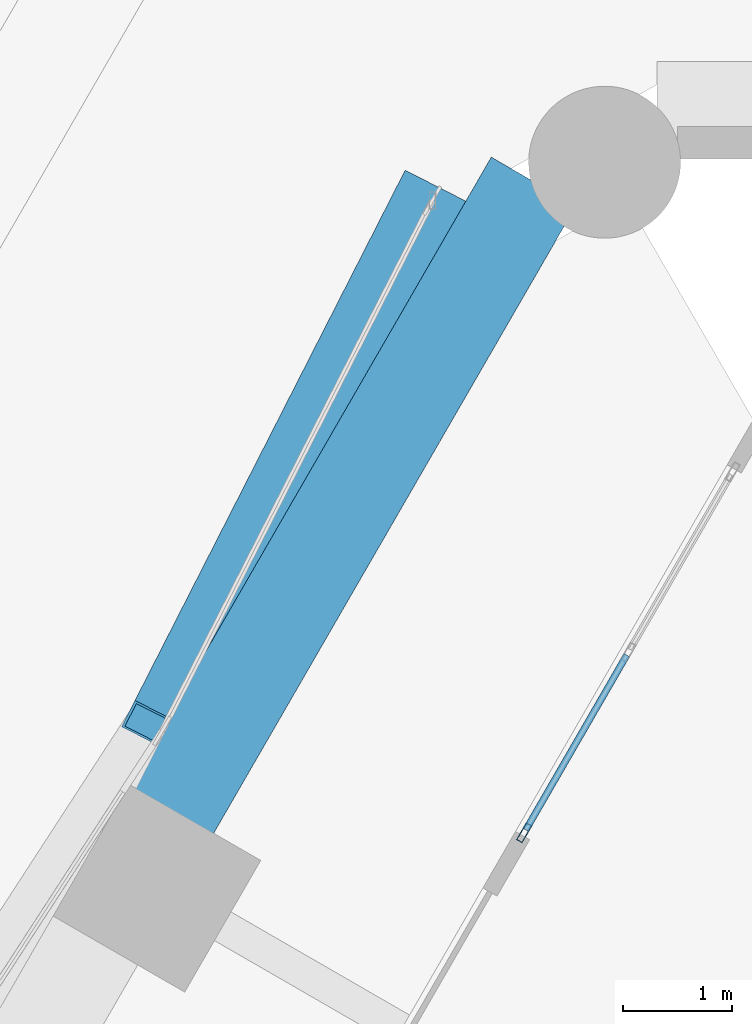
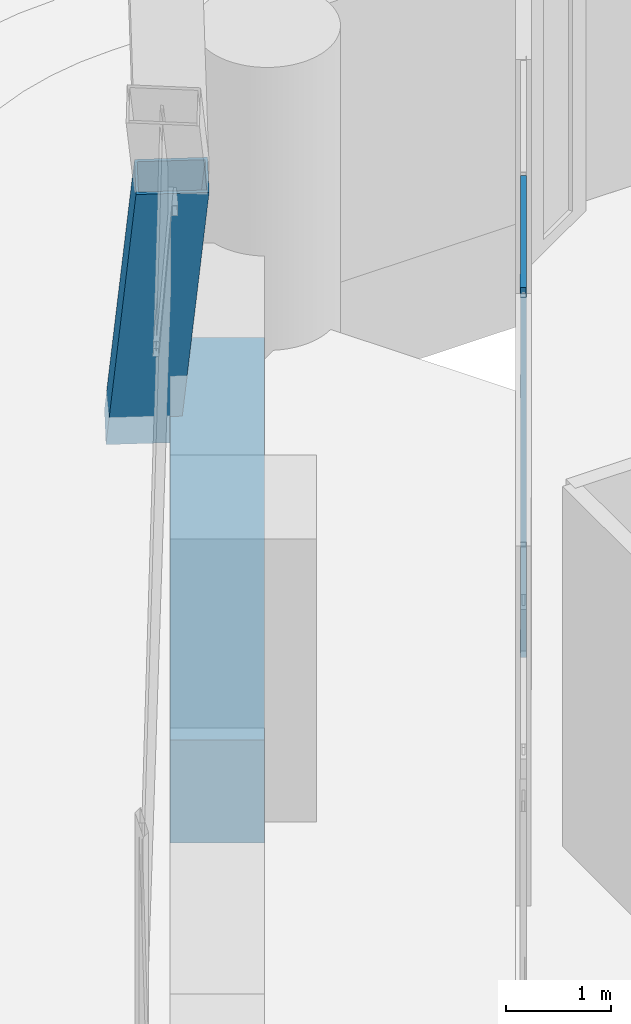
# One storey, part 39 of 71: 5 members, 1 beam, 1 element without a shape of its own.
"""IFC4 building model written with IfcOpenShell, lengths in metres."""

from ifc_helpers import new_model, si_unit, direction, frame, origin, origin_2d, place, context, subcontext, project, spatial, rectangle, hollow_rectangle, extrude, material, material_profile, profile_set, type_object, element, aggregate, save


model = new_model("IFC4")

# Units and contexts
model_context = context("Model", 3, precision=1e-05, world=origin(), true_north=direction((0.0, 1.0)))
body_context = subcontext(model_context, "Body", "Model", "MODEL_VIEW")
ifc_project = project(units=[si_unit("LENGTHUNIT", "METRE"), si_unit("AREAUNIT", "SQUARE_METRE"), si_unit("VOLUMEUNIT", "CUBIC_METRE"), si_unit("PLANEANGLEUNIT", "RADIAN"), si_unit("MASSUNIT", "GRAM", prefix="KILO")], contexts=[model_context])

# Site, building, storey
site_placement = place(None, origin())
site = spatial("IfcSite", under=ifc_project, at=site_placement, CompositionType="ELEMENT")
building_placement = place(site_placement, origin())
building = spatial("IfcBuilding", under=site, at=building_placement, Name="Ostrander Bayou Hotel Tower", CompositionType="ELEMENT")
storey_placement = place(building_placement, frame((0.0, 0.0, 10.0)))
storey = spatial("IfcBuildingStorey", under=building, at=storey_placement, Name="L02", CompositionType="ELEMENT", Elevation=10.0)

# Curtain wall, members
ifc_material_1 = material(Name="Aluminium and clear glass", Category="aluminium")
curtain_wall_type = type_object("IfcCurtainWallType", Name="CW-SKY amenity glass wall", PredefinedType="NOTDEFINED", material=ifc_material_1)
curtain_wall_placement = place(storey_placement, origin())
curtain_wall = element("IfcCurtainWall", 1, at=curtain_wall_placement, inside=storey, type_object=curtain_wall_type, Name="CW-SKY L02 NW 1", PredefinedType="NOTDEFINED")
ifc_material_2 = material(Name="Aluminium", Category="aluminium")
ifc_material_profile_1 = material_profile(ifc_material_2, hollow_rectangle(XDim=0.06005859375, YDim=0.179931640625, WallThickness=0.00390625, at=origin_2d()))
ifc_profile_set_1 = profile_set([ifc_material_profile_1], Name="Aluminium")
member_type_1 = type_object("IfcMemberType", Name="CW-SK mullion 60 x 180 mm", PredefinedType="MULLION", material=ifc_profile_set_1)
member_1_placement = place(storey_placement, frame((-12.79150390625, 14.694580078125, 0.0), z_axis=(0.0, 0.0, 1.0), x_axis=(0.866025463091, -0.499999897278, 0.0)))
member_1 = element("IfcMember", 2, at=member_1_placement, type_object=member_type_1, Name="CW-SKY mullion 3", PredefinedType="MULLION", context=body_context, shape_type="SweptSolid", body=[
    extrude(hollow_rectangle(XDim=0.06005859375, YDim=0.179931640625, WallThickness=0.00390625, at=origin_2d()), origin(), (0.0, 0.0, 1.0), 4.199951171875),
])
ifc_material_3 = material(Name="Aluminium", Category="aluminium")
ifc_material_profile_2 = material_profile(ifc_material_3, hollow_rectangle(XDim=0.06005859375, YDim=0.1201171875, WallThickness=0.00390625, at=origin_2d()))
ifc_profile_set_2 = profile_set([ifc_material_profile_2], Name="Aluminium")
member_type_2 = type_object("IfcMemberType", Name="CW-SK transom 60 x 120 mm", PredefinedType="USERDEFINED", material=ifc_profile_set_2)
member_2_placement = place(storey_placement, frame((-11.846435546875, 16.331298828125, 0.030029296875), z_axis=(-0.500063286585, -0.865988862174, 0.0), x_axis=(0.865988862174, -0.500063286585, 0.0)))
member_2 = element("IfcMember", 3, at=member_2_placement, type_object=member_type_2, Name="CW-SKY transom 2.1", ObjectType="TRANSOM", PredefinedType="USERDEFINED", context=body_context, shape_type="SweptSolid", body=[
    extrude(hollow_rectangle(XDim=0.06005859375, YDim=0.1201171875, WallThickness=0.00390625, at=origin_2d()), origin(), (0.0, 0.0, 1.0), 1.860107421875),
])
member_3_placement = place(storey_placement, frame((-11.846435546875, 16.331298828125, 3.0), z_axis=(-0.500063286585, -0.865988862174, 0.0), x_axis=(0.865988862174, -0.500063286585, 0.0)))
member_3 = element("IfcMember", 4, at=member_3_placement, type_object=member_type_2, Name="CW-SKY transom 2.2", ObjectType="TRANSOM", PredefinedType="USERDEFINED", context=body_context, shape_type="SweptSolid", body=[
    extrude(hollow_rectangle(XDim=0.06005859375, YDim=0.1201171875, WallThickness=0.00390625, at=origin_2d()), origin(), (0.0, 0.0, 1.0), 1.860107421875),
])
member_4_placement = place(storey_placement, frame((-11.846435546875, 16.331298828125, 4.169921875), z_axis=(-0.500063286585, -0.865988862174, 0.0), x_axis=(0.865988862174, -0.500063286585, 0.0)))
member_4 = element("IfcMember", 5, at=member_4_placement, type_object=member_type_2, Name="CW-SKY transom 2.3", ObjectType="TRANSOM", PredefinedType="USERDEFINED", context=body_context, shape_type="SweptSolid", body=[
    extrude(hollow_rectangle(XDim=0.06005859375, YDim=0.1201171875, WallThickness=0.00390625, at=origin_2d()), origin(), (0.0, 0.0, 1.0), 1.860107421875),
])
aggregate(curtain_wall, [member_1, member_2, member_3, member_4])

# Member
ifc_material_4 = material(Name="Steel ASTM A572 Gr 50", Category="steel")
ifc_material_profile_3 = material_profile(ifc_material_4, hollow_rectangle(XDim=0.699951171875, YDim=0.35009765625, WallThickness=0.02490234375, at=origin_2d()))
ifc_profile_set_3 = profile_set([ifc_material_profile_3], Name="Steel ASTM A572 Gr 50")
member_type_3 = type_object("IfcMemberType", Name="LT1 lattice member box 700 x 350 x 25 mm", PredefinedType="BRACE", material=ifc_profile_set_3)
member_5_placement = place(storey_placement, frame((-16.126953125, 15.63330078125, 6.14990234375), z_axis=(0.286219486036, 0.561770663617, -0.776203663553), x_axis=(-0.891017407703, 0.453969139007, 0.0)))
element("IfcMember", 6, at=member_5_placement, inside=storey, type_object=member_type_3, Name="LT1 L02 NW 1", PredefinedType="BRACE", context=body_context, shape_type="SweptSolid", body=[
    extrude(hollow_rectangle(XDim=0.699951171875, YDim=0.35009765625, WallThickness=0.02490234375, at=origin_2d()), origin(), (0.0, 0.0, 1.0), 8.6962890625),
])

# Beam
ifc_material_5 = material(Name="Concrete f'c 70 MPa", Category="concrete")
ifc_material_profile_4 = material_profile(ifc_material_5, rectangle(XDim=0.89990234375, YDim=1.199951171875, at=origin_2d()))
ifc_profile_set_4 = profile_set([ifc_material_profile_4], Name="Concrete f'c 70 MPa")
beam_type = type_object("IfcBeamType", Name="SP1 spandrel beam 900 x 1200 mm f'c 70 MPa", PredefinedType="SPANDREL", material=ifc_profile_set_4)
beam_placement = place(storey_placement, frame((-12.705078125, 20.694091796875, -0.60009765625), z_axis=(-0.500005133765, -0.866022439784, 0.0), x_axis=(0.866022439784, -0.500005133765, 0.0)))
element("IfcBeam", 7, at=beam_placement, inside=storey, type_object=beam_type, Name="SP1 L02 NW-1", PredefinedType="SPANDREL", context=body_context, shape_type="SweptSolid", body=[
    extrude(rectangle(XDim=0.89990234375, YDim=1.199951171875, at=origin_2d()), origin(), (0.0, 0.0, 1.0), 6.70361328125),
])

save(model, "model.ifc")
